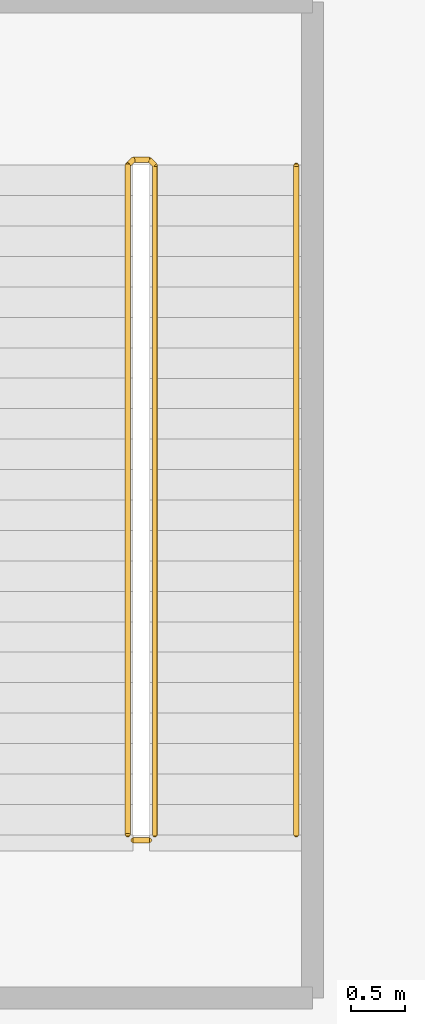
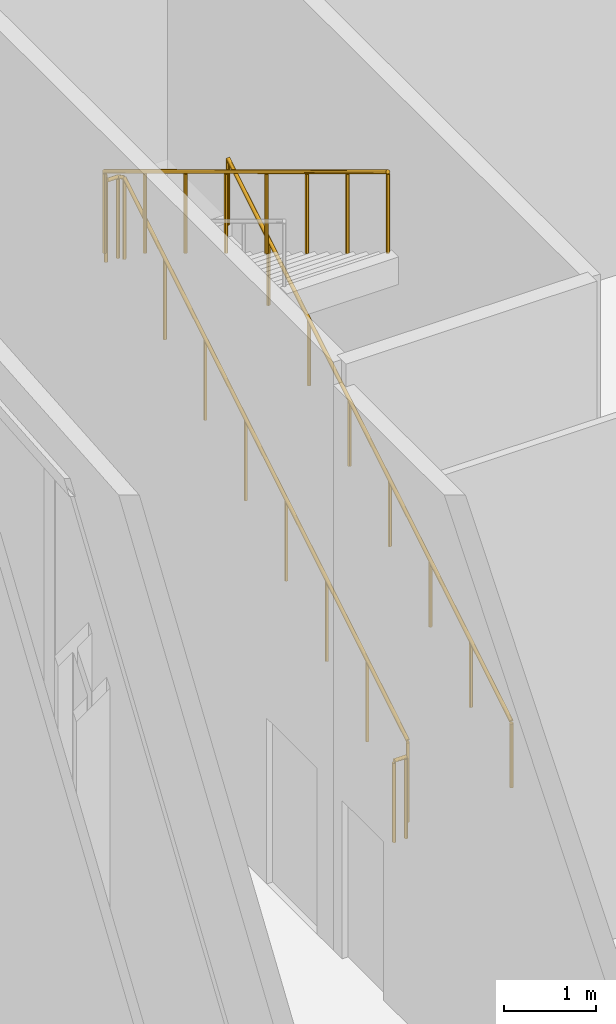
# One storey, part 35 of 36: 3 railings.
"""IFC4 building model written with IfcOpenShell, lengths in metres."""

from ifc_helpers import new_model, si_unit, direction, frame, origin, origin_2d, place, context, subcontext, project, spatial, circle, extrude, material, type_object, element, save


model = new_model("IFC4")

# Units and contexts
model_context = context("Model", 3, precision=1e-05, world=origin(), true_north=direction((0.0, 1.0)))
body_context = subcontext(model_context, "Body", "Model", "MODEL_VIEW")
ifc_project = project(units=[si_unit("LENGTHUNIT", "METRE"), si_unit("AREAUNIT", "SQUARE_METRE"), si_unit("VOLUMEUNIT", "CUBIC_METRE"), si_unit("PLANEANGLEUNIT", "RADIAN"), si_unit("MASSUNIT", "GRAM", prefix="KILO")], contexts=[model_context])

# Site, building, storey
site_placement = place(None, origin())
site = spatial("IfcSite", under=ifc_project, at=site_placement, CompositionType="ELEMENT")
building_placement = place(site_placement, origin())
building = spatial("IfcBuilding", under=site, at=building_placement, Name="Kheshtan School and Residences Tower", CompositionType="ELEMENT")
storey_placement = place(building_placement, frame((0.0, 0.0, 81.199951171875)))
storey = spatial("IfcBuildingStorey", under=building, at=storey_placement, Name="L19", CompositionType="ELEMENT", Elevation=81.199951171875)

# Railings
ifc_material_1 = material(Name="Stainless steel balustrade", Category="steel")
railing_type_1 = type_object("IfcRailingType", Name="Stair guard 1100", PredefinedType="GUARDRAIL", material=ifc_material_1)
railing_1_placement = place(storey_placement, frame((35.0, 80.89990234375, 0.169677734375)))
element("IfcRailing", 1, at=railing_1_placement, inside=storey, type_object=railing_type_1, Name="L19 ST3 stair guard 1", PredefinedType="GUARDRAIL", context=body_context, shape_type="SweptSolid", body=[
    extrude(circle(Radius=0.02392578125, at=origin_2d()), frame((0.0, 0.0, 1.076171875), z_axis=(0.0, 0.855379917629, 0.518001154937), x_axis=(-1.0, 0.0, 0.0)), (0.0, 0.0, 1.0), 7.20166015625),
    extrude(circle(Radius=0.02392578125, at=origin_2d()), frame((0.0, 6.16015625, 4.806640625), z_axis=(-0.707106781187, 0.707106781187, 0.0), x_axis=(-0.707106781187, -0.707106781187, 0.0)), (0.0, 0.0, 1.0), 0.07080078125),
    extrude(circle(Radius=0.02392578125, at=origin_2d()), frame((-0.050048828125, 6.210205078125, 4.806640625), z_axis=(-1.0, 0.0, 0.0), x_axis=(0.0, -1.0, 0.0)), (0.0, 0.0, 1.0), 0.14990234375),
    extrude(circle(Radius=0.02392578125, at=origin_2d()), frame((-0.199951171875, 6.210205078125, 4.806640625), z_axis=(-0.272562526181, -0.272562526181, 0.92272386912), x_axis=(0.707106781187, -0.707106781187, 0.0)), (0.0, 0.0, 1.0), 0.18359375),
    extrude(circle(Radius=0.02392578125, at=origin_2d()), frame((-0.25, 6.16015625, 4.97607421875), z_axis=(0.0, -0.855379917629, 0.518001154937), x_axis=(1.0, 0.0, 0.0)), (0.0, 0.0, 1.0), 7.20166015625),
    extrude(circle(Radius=0.02099609375, at=origin_2d()), origin(), (0.0, 0.0, 1.0), 1.052001953125),
    extrude(circle(Radius=0.02099609375, at=origin_2d()), frame((0.0, 0.880126953125, 0.532958984375)), (0.0, 0.0, 1.0), 1.052001953125),
    extrude(circle(Radius=0.02099609375, at=origin_2d()), frame((0.0, 1.760009765625, 1.06591796875)), (0.0, 0.0, 1.0), 1.052001953125),
    extrude(circle(Radius=0.02099609375, at=origin_2d()), frame((0.0, 2.64013671875, 1.598876953125)), (0.0, 0.0, 1.0), 1.052001953125),
    extrude(circle(Radius=0.02099609375, at=origin_2d()), frame((0.0, 3.52001953125, 2.131591796875)), (0.0, 0.0, 1.0), 1.052001953125),
    extrude(circle(Radius=0.02099609375, at=origin_2d()), frame((0.0, 4.400146484375, 2.66455078125)), (0.0, 0.0, 1.0), 1.052001953125),
    extrude(circle(Radius=0.02099609375, at=origin_2d()), frame((0.0, 5.280029296875, 3.197509765625)), (0.0, 0.0, 1.0), 1.052001953125),
    extrude(circle(Radius=0.02099609375, at=origin_2d()), frame((0.0, 6.16015625, 3.73046875)), (0.0, 0.0, 1.0), 1.052001953125),
    extrude(circle(Radius=0.02099609375, at=origin_2d()), frame((-0.050048828125, 6.210205078125, 3.73046875)), (0.0, 0.0, 1.0), 1.052001953125),
    extrude(circle(Radius=0.02099609375, at=origin_2d()), frame((-0.199951171875, 6.210205078125, 3.73046875)), (0.0, 0.0, 1.0), 1.052001953125),
    extrude(circle(Radius=0.02099609375, at=origin_2d()), frame((-0.25, 6.16015625, 3.89990234375)), (0.0, 0.0, 1.0), 1.052001953125),
    extrude(circle(Radius=0.02099609375, at=origin_2d()), frame((-0.25, 5.280029296875, 4.432861328125)), (0.0, 0.0, 1.0), 1.052001953125),
    extrude(circle(Radius=0.02099609375, at=origin_2d()), frame((-0.25, 4.400146484375, 4.9658203125)), (0.0, 0.0, 1.0), 1.052001953125),
    extrude(circle(Radius=0.02099609375, at=origin_2d()), frame((-0.25, 3.52001953125, 5.498779296875)), (0.0, 0.0, 1.0), 1.052001953125),
    extrude(circle(Radius=0.02099609375, at=origin_2d()), frame((-0.25, 2.64013671875, 6.031494140625)), (0.0, 0.0, 1.0), 1.052001953125),
    extrude(circle(Radius=0.02099609375, at=origin_2d()), frame((-0.25, 1.760009765625, 6.564453125)), (0.0, 0.0, 1.0), 1.052001953125),
    extrude(circle(Radius=0.02099609375, at=origin_2d()), frame((-0.25, 0.880126953125, 7.097412109375)), (0.0, 0.0, 1.0), 1.052001953125),
    extrude(circle(Radius=0.02099609375, at=origin_2d()), frame((-0.25, 0.0, 7.63037109375)), (0.0, 0.0, 1.0), 1.052001953125),
])
railing_2_placement = place(storey_placement, frame((34.949951171875, 80.85009765625, 0.0)))
element("IfcRailing", 2, at=railing_2_placement, inside=storey, type_object=railing_type_1, Name="L19 ST3 stair guard 2", PredefinedType="GUARDRAIL", context=body_context, shape_type="SweptSolid", body=[
    extrude(circle(Radius=0.02392578125, at=origin_2d()), frame((0.0, 0.0, 1.076171875), z_axis=(-1.0, 0.0, 0.0), x_axis=(0.0, -1.0, 0.0)), (0.0, 0.0, 1.0), 0.14990234375),
    extrude(circle(Radius=0.02099609375, at=origin_2d()), origin(), (0.0, 0.0, 1.0), 1.052001953125),
    extrude(circle(Radius=0.02099609375, at=origin_2d()), frame((-0.14990234375, 0.0, 0.0)), (0.0, 0.0, 1.0), 1.052001953125),
])
ifc_material_2 = material(Name="Stainless steel handrail", Category="steel")
railing_type_2 = type_object("IfcRailingType", Name="Stair handrail 900", PredefinedType="HANDRAIL", material=ifc_material_2)
railing_3_placement = place(storey_placement, frame((36.300048828125, 80.89990234375, 0.169677734375)))
element("IfcRailing", 3, at=railing_3_placement, inside=storey, type_object=railing_type_2, Name="L19 ST3 stair handrail 1", PredefinedType="HANDRAIL", context=body_context, shape_type="SweptSolid", body=[
    extrude(circle(Radius=0.02392578125, at=origin_2d()), frame((0.0, 0.0, 0.8759765625), z_axis=(0.0, 0.855379917629, 0.518001154937), x_axis=(-1.0, 0.0, 0.0)), (0.0, 0.0, 1.0), 7.20166015625),
    extrude(circle(Radius=0.02099609375, at=origin_2d()), origin(), (0.0, 0.0, 1.0), 0.851806640625),
    extrude(circle(Radius=0.02099609375, at=origin_2d()), frame((0.0, 0.880126953125, 0.532958984375)), (0.0, 0.0, 1.0), 0.851806640625),
    extrude(circle(Radius=0.02099609375, at=origin_2d()), frame((0.0, 1.760009765625, 1.06591796875)), (0.0, 0.0, 1.0), 0.851806640625),
    extrude(circle(Radius=0.02099609375, at=origin_2d()), frame((0.0, 2.64013671875, 1.598876953125)), (0.0, 0.0, 1.0), 0.851806640625),
    extrude(circle(Radius=0.02099609375, at=origin_2d()), frame((0.0, 3.52001953125, 2.131591796875)), (0.0, 0.0, 1.0), 0.851806640625),
    extrude(circle(Radius=0.02099609375, at=origin_2d()), frame((0.0, 4.400146484375, 2.66455078125)), (0.0, 0.0, 1.0), 0.851806640625),
    extrude(circle(Radius=0.02099609375, at=origin_2d()), frame((0.0, 5.280029296875, 3.197509765625)), (0.0, 0.0, 1.0), 0.851806640625),
    extrude(circle(Radius=0.02099609375, at=origin_2d()), frame((0.0, 6.16015625, 3.73046875)), (0.0, 0.0, 1.0), 0.851806640625),
])

save(model, "model.ifc")
